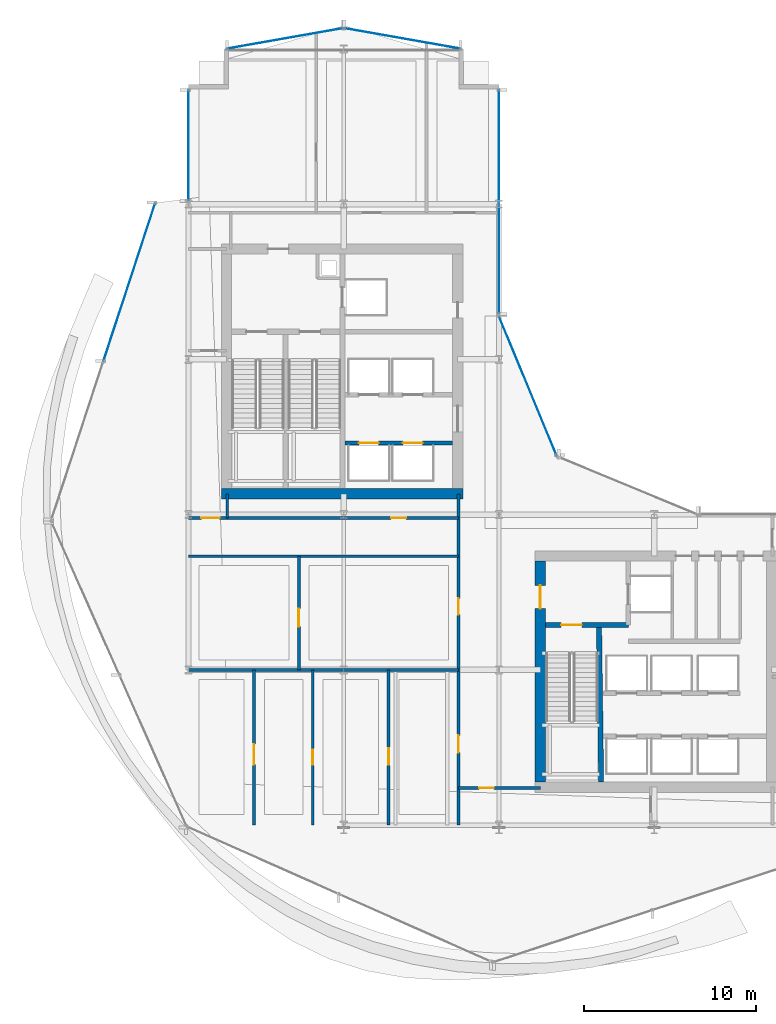
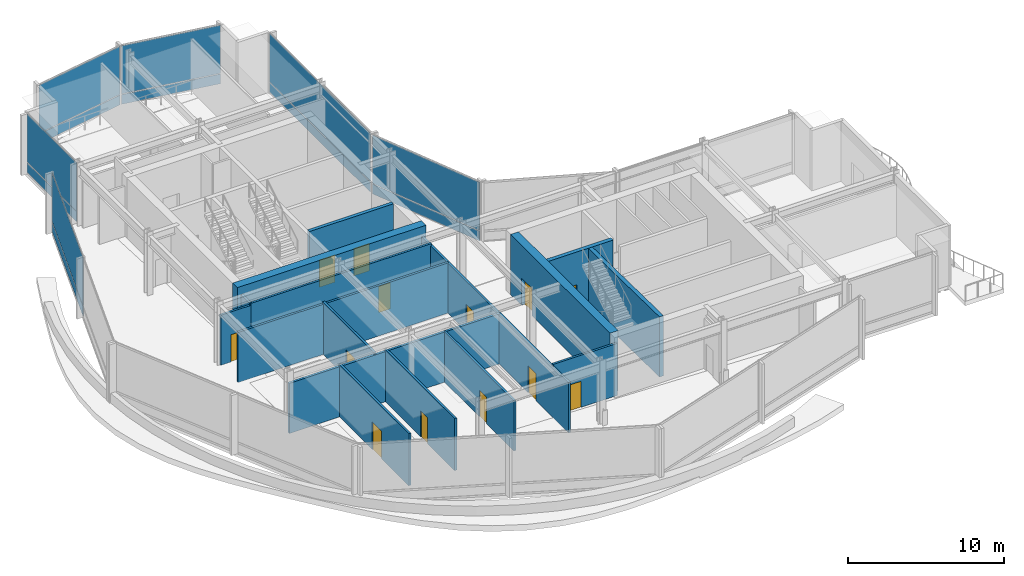
# One storey, part 24 of 33: 16 walls, 13 doors, 12 plates, 13 openings, 6 elements without a shape of their own.
"""IFC4 building model written with IfcOpenShell, lengths in metres."""

from ifc_helpers import new_model, si_unit, direction, frame, frame_2d, origin, origin_2d, place, context, subcontext, project, spatial, rectangle, extrude, material, layer, layer_set, type_object, element, fill, aggregate, save


model = new_model("IFC4")

# Units and contexts
model_context = context("Model", 3, precision=1e-05, world=origin(), true_north=direction((0.0, 1.0)))
body_context = subcontext(model_context, "Body", "Model", "MODEL_VIEW")
ifc_project = project(units=[si_unit("LENGTHUNIT", "METRE"), si_unit("AREAUNIT", "SQUARE_METRE"), si_unit("VOLUMEUNIT", "CUBIC_METRE"), si_unit("PLANEANGLEUNIT", "RADIAN"), si_unit("MASSUNIT", "GRAM", prefix="KILO")], contexts=[model_context])

# Site, building, storey
site_placement = place(None, origin())
site = spatial("IfcSite", under=ifc_project, at=site_placement, CompositionType="ELEMENT")
building_placement = place(site_placement, origin())
building = spatial("IfcBuilding", under=site, at=building_placement, Name="Solvaryn Broadcast Tower", CompositionType="ELEMENT")
storey_placement = place(building_placement, frame((0.0, 0.0, 105.0)))
storey = spatial("IfcBuildingStorey", under=building, at=storey_placement, Name="L25", CompositionType="ELEMENT", Elevation=105.0)

# Curtain wall, plates
ifc_material_1 = material(Name="Aluminium and Terracotta Unitised Curtain Wall", Category="masonry")
ifc_layer_1 = layer(ifc_material_1, 0.25)
ifc_layer_set_1 = layer_set([ifc_layer_1], Name="CW-SYS4-SKYGARDEN")
curtain_wall_type = type_object("IfcCurtainWallType", Name="CW-SYS4-SKYGARDEN", PredefinedType="NOTDEFINED", material=ifc_layer_set_1)
curtain_wall_1_placement = place(storey_placement, origin())
curtain_wall_1 = element("IfcCurtainWall", 1, at=curtain_wall_1_placement, inside=storey, type_object=curtain_wall_type, Name="L25 Curtain Wall DR1", PredefinedType="NOTDEFINED")
ifc_material_2 = material(Name="Low-Iron Insulated Vision Glass", Category="glass")
ifc_layer_2 = layer(ifc_material_2, 0.035888671875)
ifc_layer_set_2 = layer_set([ifc_layer_2], Name="CW-PNL-VISION")
plate_type = type_object("IfcPlateType", Name="CW-PNL-VISION", PredefinedType="CURTAIN_PANEL", material=ifc_layer_set_2)
plate_1_placement = place(storey_placement, frame((5.56298828125, 40.445068359375, 0.06005859375), z_axis=(0.0, 0.0, 1.0), x_axis=(-0.311646057547, -0.950198260794, 0.0)))
plate_1 = element("IfcPlate", 2, at=plate_1_placement, type_object=plate_type, Name="CWS4 panel 1.1", PredefinedType="CURTAIN_PANEL", context=body_context, shape_type="SweptSolid", body=[
    extrude(rectangle(XDim=9.6083984375, YDim=0.028076171875, at=origin_2d()), origin(), (0.0, 0.0, 1.0), 0.760009765625),
])
plate_2_placement = place(storey_placement, frame((5.56298828125, 40.445068359375, 0.8798828125), z_axis=(0.0, 0.0, 1.0), x_axis=(-0.311646057547, -0.950198260794, 0.0)))
plate_2 = element("IfcPlate", 3, at=plate_2_placement, type_object=plate_type, Name="CWS4 panel 1.2", PredefinedType="CURTAIN_PANEL", context=body_context, shape_type="SweptSolid", body=[
    extrude(rectangle(XDim=9.6083984375, YDim=0.028076171875, at=origin_2d()), origin(), (0.0, 0.0, 1.0), 3.780029296875),
])
aggregate(curtain_wall_1, [plate_1, plate_2])

curtain_wall_2_placement = place(storey_placement, origin())
curtain_wall_2 = element("IfcCurtainWall", 4, at=curtain_wall_2_placement, inside=storey, type_object=curtain_wall_type, Name="L25 Curtain Wall W2", PredefinedType="NOTDEFINED")
plate_3_placement = place(storey_placement, frame((9.0, 48.408447265625, 0.06005859375), z_axis=(0.0, 0.0, 1.0), x_axis=(0.0, 1.0, 0.0)))
plate_3 = element("IfcPlate", 5, at=plate_3_placement, type_object=plate_type, Name="CWS4 panel 1.1", PredefinedType="CURTAIN_PANEL", context=body_context, shape_type="SweptSolid", body=[
    extrude(rectangle(XDim=6.363037109375, YDim=0.028076171875, at=origin_2d()), origin(), (0.0, 0.0, 1.0), 0.760009765625),
])
plate_4_placement = place(storey_placement, frame((9.0, 48.408447265625, 0.8798828125), z_axis=(0.0, 0.0, 1.0), x_axis=(0.0, 1.0, 0.0)))
plate_4 = element("IfcPlate", 6, at=plate_4_placement, type_object=plate_type, Name="CWS4 panel 1.2", PredefinedType="CURTAIN_PANEL", context=body_context, shape_type="SweptSolid", body=[
    extrude(rectangle(XDim=6.363037109375, YDim=0.028076171875, at=origin_2d()), origin(), (0.0, 0.0, 1.0), 3.780029296875),
])
aggregate(curtain_wall_2, [plate_3, plate_4])

curtain_wall_3_placement = place(storey_placement, origin())
curtain_wall_3 = element("IfcCurtainWall", 7, at=curtain_wall_3_placement, inside=storey, type_object=curtain_wall_type, Name="L25 Curtain Wall IV", PredefinedType="NOTDEFINED")
plate_5_placement = place(storey_placement, frame((27.0, 45.125, 0.06005859375), z_axis=(0.0, 0.0, 1.0), x_axis=(0.0, -1.0, 0.0)))
plate_5 = element("IfcPlate", 8, at=plate_5_placement, type_object=plate_type, Name="CWS4 panel 1.1", PredefinedType="CURTAIN_PANEL", context=body_context, shape_type="SweptSolid", body=[
    extrude(rectangle(XDim=12.929931640625, YDim=0.028076171875, at=origin_2d()), origin(), (0.0, 0.0, 1.0), 0.760009765625),
])
plate_6_placement = place(storey_placement, frame((27.0, 45.125, 0.8798828125), z_axis=(0.0, 0.0, 1.0), x_axis=(0.0, -1.0, 0.0)))
plate_6 = element("IfcPlate", 9, at=plate_6_placement, type_object=plate_type, Name="CWS4 panel 1.2", PredefinedType="CURTAIN_PANEL", context=body_context, shape_type="SweptSolid", body=[
    extrude(rectangle(XDim=12.929931640625, YDim=0.028076171875, at=origin_2d()), origin(), (0.0, 0.0, 1.0), 3.780029296875),
])
aggregate(curtain_wall_3, [plate_5, plate_6])

curtain_wall_4_placement = place(storey_placement, origin())
curtain_wall_4 = element("IfcCurtainWall", 10, at=curtain_wall_4_placement, inside=storey, type_object=curtain_wall_type, Name="L25 Curtain Wall CN2", PredefinedType="NOTDEFINED")
plate_7_placement = place(storey_placement, frame((28.68408203125, 34.43408203125, 0.06005859375), z_axis=(0.0, 0.0, 1.0), x_axis=(-0.382646127145, 0.923894983957, 0.0)))
plate_7 = element("IfcPlate", 11, at=plate_7_placement, type_object=plate_type, Name="CWS4 panel 1.1", PredefinedType="CURTAIN_PANEL", context=body_context, shape_type="SweptSolid", body=[
    extrude(rectangle(XDim=8.681884765625, YDim=0.028076171875, at=origin_2d()), origin(), (0.0, 0.0, 1.0), 0.760009765625),
])
plate_8_placement = place(storey_placement, frame((28.68408203125, 34.43408203125, 0.8798828125), z_axis=(0.0, 0.0, 1.0), x_axis=(-0.382646127145, 0.923894983957, 0.0)))
plate_8 = element("IfcPlate", 12, at=plate_8_placement, type_object=plate_type, Name="CWS4 panel 1.2", PredefinedType="CURTAIN_PANEL", context=body_context, shape_type="SweptSolid", body=[
    extrude(rectangle(XDim=8.681884765625, YDim=0.028076171875, at=origin_2d()), origin(), (0.0, 0.0, 1.0), 3.780029296875),
])
aggregate(curtain_wall_4, [plate_7, plate_8])

curtain_wall_5_placement = place(storey_placement, origin())
curtain_wall_5 = element("IfcCurtainWall", 13, at=curtain_wall_5_placement, inside=storey, type_object=curtain_wall_type, Name="L25 Curtain Wall NT1", PredefinedType="NOTDEFINED")
plate_9_placement = place(storey_placement, frame((21.39990234375, 54.60009765625, 0.06005859375), z_axis=(0.0, 0.0, 1.0), x_axis=(-0.984783558819, 0.173785333901, 0.0)))
plate_9 = element("IfcPlate", 14, at=plate_9_placement, type_object=plate_type, Name="CWS4 panel 1.1", PredefinedType="CURTAIN_PANEL", context=body_context, shape_type="SweptSolid", body=[
    extrude(rectangle(XDim=6.78515625, YDim=0.028076171875, at=origin_2d()), origin(), (0.0, 0.0, 1.0), 0.760009765625),
])
plate_10_placement = place(storey_placement, frame((21.39990234375, 54.60009765625, 0.8798828125), z_axis=(0.0, 0.0, 1.0), x_axis=(-0.984783558819, 0.173785333901, 0.0)))
plate_10 = element("IfcPlate", 15, at=plate_10_placement, type_object=plate_type, Name="CWS4 panel 1.2", PredefinedType="CURTAIN_PANEL", context=body_context, shape_type="SweptSolid", body=[
    extrude(rectangle(XDim=6.78515625, YDim=0.028076171875, at=origin_2d()), origin(), (0.0, 0.0, 1.0), 3.780029296875),
])
aggregate(curtain_wall_5, [plate_9, plate_10])

curtain_wall_6_placement = place(storey_placement, origin())
curtain_wall_6 = element("IfcCurtainWall", 16, at=curtain_wall_6_placement, inside=storey, type_object=curtain_wall_type, Name="L25 Curtain Wall NT2", PredefinedType="NOTDEFINED")
plate_11_placement = place(storey_placement, frame((14.60009765625, 54.60009765625, 0.06005859375), z_axis=(0.0, 0.0, 1.0), x_axis=(-0.984783558819, -0.173785333901, 0.0)))
plate_11 = element("IfcPlate", 17, at=plate_11_placement, type_object=plate_type, Name="CWS4 panel 1.1", PredefinedType="CURTAIN_PANEL", context=body_context, shape_type="SweptSolid", body=[
    extrude(rectangle(XDim=6.78515625, YDim=0.028076171875, at=origin_2d()), origin(), (0.0, 0.0, 1.0), 0.760009765625),
])
plate_12_placement = place(storey_placement, frame((14.60009765625, 54.60009765625, 0.8798828125), z_axis=(0.0, 0.0, 1.0), x_axis=(-0.984783558819, -0.173785333901, 0.0)))
plate_12 = element("IfcPlate", 18, at=plate_12_placement, type_object=plate_type, Name="CWS4 panel 1.2", PredefinedType="CURTAIN_PANEL", context=body_context, shape_type="SweptSolid", body=[
    extrude(rectangle(XDim=6.78515625, YDim=0.028076171875, at=origin_2d()), origin(), (0.0, 0.0, 1.0), 3.780029296875),
])
aggregate(curtain_wall_6, [plate_11, plate_12])

# Wall
ifc_material_3 = material(Name="Concrete f'c 70 MPa", Category="concrete")
ifc_layer_3 = layer(ifc_material_3, 0.60009765625)
ifc_layer_set_3 = layer_set([ifc_layer_3], Name="CW-SHEAR-600")
wall_type_1 = type_object("IfcWallType", Name="CW-SHEAR-600", PredefinedType="SHEAR", material=ifc_layer_set_3)
wall_1_placement = place(storey_placement, frame((10.89990234375, 28.199951171875, 0.0), z_axis=(0.0, 0.0, 1.0), x_axis=(1.0, 0.0, 0.0)))
element("IfcWall", 19, at=wall_1_placement, inside=storey, type_object=wall_type_1, Name="L25 West Core South Shear Wall", PredefinedType="SHEAR", context=body_context, shape_type="SweptSolid", body=[
    extrude(rectangle(XDim=14.0, YDim=0.60009765625, at=frame_2d((7.0, 0.0))), origin(), (0.0, 0.0, 1.0), 4.719970703125),
])

# Wall, opening, door
wall_2_placement = place(storey_placement, frame((29.39990234375, 24.300048828125, 0.0), z_axis=(0.0, 0.0, 1.0), x_axis=(0.0, -1.0, 0.0)))
wall_2 = element("IfcWall", 20, at=wall_2_placement, inside=storey, type_object=wall_type_1, Name="L25 East Core West Shear Wall", PredefinedType="SHEAR", context=body_context, shape_type="SweptSolid", body=[
    extrude(rectangle(XDim=12.800048828125, YDim=0.60009765625, at=frame_2d((6.39990234375, 0.0))), origin(), (0.0, 0.0, 1.0), 4.719970703125),
])
opening_1_placement = place(wall_2_placement, frame((1.39990234375, 0.0, 0.0)))
opening_1 = element("IfcOpeningElement", 21, at=opening_1_placement, cuts=wall_2, Name="Opening FD90B", PredefinedType="OPENING", context=body_context, shape_type="SweptSolid", body=[
    extrude(rectangle(XDim=1.35009765625, YDim=2.14990234375, at=frame_2d((0.675048828125, 1.074951171875))), frame((0.0, 0.31005859375, 0.0), z_axis=(0.0, -1.0, 0.0), x_axis=(1.0, 0.0, 0.0)), (0.0, 0.0, 1.0), 0.6201171875),
])
ifc_material_4 = material(Name="Flush Acoustic Steel and Timber Door Assembly", Category="steel")
door_type_1 = type_object("IfcDoorType", Name="FD90-LOBBY-1350X2150", OperationType="NOTDEFINED", PredefinedType="DOOR", material=ifc_material_4)
door_1_placement = place(opening_1_placement, origin())
door_1 = element("IfcDoor", 22, at=door_1_placement, inside=storey, type_object=door_type_1, Name="L25 East FSAE Lobby Door", OperationType="SINGLE_SWING_RIGHT", OverallHeight=2.14990234375, OverallWidth=1.35009765625, PredefinedType="DOOR", context=body_context, shape_type="SweptSolid", body=[
    extrude(rectangle(XDim=1.35009765625, YDim=2.14990234375, at=frame_2d((0.675048828125, 1.074951171875))), frame((0.0, 0.02490234375, 0.0), z_axis=(0.0, -1.0, 0.0), x_axis=(1.0, 0.0, 0.0)), (0.0, 0.0, 1.0), 0.050048828125),
])
fill(opening_1, door_1)

ifc_material_5 = material(Name="Metal-Stud Gypsum Office Partition")
ifc_layer_4 = layer(ifc_material_5, 0.159912109375)
ifc_layer_set_4 = layer_set([ifc_layer_4], Name="IW-PART-160")
wall_type_2 = type_object("IfcWallType", Name="IW-PART-160", PredefinedType="PARTITIONING", material=ifc_layer_set_4)
wall_3_placement = place(storey_placement, frame((9.0, 26.800048828125, 0.0), z_axis=(0.0, 0.0, 1.0), x_axis=(1.0, 0.0, 0.0)))
wall_3 = element("IfcWall", 23, at=wall_3_placement, inside=storey, type_object=wall_type_2, Name="L25 Interior Partition IW-L25-WM-S", PredefinedType="PARTITIONING", context=body_context, shape_type="SweptSolid", body=[
    extrude(rectangle(XDim=2.25, YDim=0.159912109375, at=frame_2d((1.125, 0.0))), origin(), (0.0, 0.0, 1.0), 3.93408203125),
])
opening_2_placement = place(wall_3_placement, frame((0.75, 0.0, 0.0)))
opening_2 = element("IfcOpeningElement", 24, at=opening_2_placement, cuts=wall_3, Name="Opening ID03", PredefinedType="OPENING", context=body_context, shape_type="SweptSolid", body=[
    extrude(rectangle(XDim=1.050048828125, YDim=2.14990234375, at=frame_2d((0.52490234375, 1.074951171875))), frame((0.0, 0.090087890625, 0.0), z_axis=(0.0, -1.0, 0.0), x_axis=(1.0, 0.0, 0.0)), (0.0, 0.0, 1.0), 0.179931640625),
])
ifc_material_6 = material(Name="Flush Acoustic Steel and Timber Door Assembly", Category="steel")
door_type_2 = type_object("IfcDoorType", Name="ID-03-1050X2150", OperationType="NOTDEFINED", PredefinedType="DOOR", material=ifc_material_6)
door_2_placement = place(opening_2_placement, origin())
door_2 = element("IfcDoor", 25, at=door_2_placement, inside=storey, type_object=door_type_2, Name="L25 Door DR-L25-WM0", OperationType="SINGLE_SWING_LEFT", OverallHeight=2.14990234375, OverallWidth=1.050048828125, PredefinedType="DOOR", context=body_context, shape_type="SweptSolid", body=[
    extrude(rectangle(XDim=1.050048828125, YDim=2.14990234375, at=frame_2d((0.52490234375, 1.074951171875))), frame((0.0, 0.02490234375, 0.0), z_axis=(0.0, -1.0, 0.0), x_axis=(1.0, 0.0, 0.0)), (0.0, 0.0, 1.0), 0.050048828125),
])
fill(opening_2, door_2)

# Wall, openings, doors
wall_4_placement = place(storey_placement, frame((24.64990234375, 9.0, 0.0), z_axis=(0.0, 0.0, 1.0), x_axis=(0.0, 1.0, 0.0)))
wall_4 = element("IfcWall", 26, at=wall_4_placement, inside=storey, type_object=wall_type_2, Name="L25 Interior Partition IW-L25-SW-EB", PredefinedType="PARTITIONING", context=body_context, shape_type="SweptSolid", body=[
    extrude(rectangle(XDim=19.199951171875, YDim=0.159912109375, at=frame_2d((9.60009765625, 0.0))), origin(), (0.0, 0.0, 1.0), 3.93408203125),
])
opening_3_placement = place(wall_4_placement, frame((12.199951171875, 0.0, 0.0)))
opening_3 = element("IfcOpeningElement", 27, at=opening_3_placement, cuts=wall_4, Name="Opening ID01", PredefinedType="OPENING", context=body_context, shape_type="SweptSolid", body=[
    extrude(rectangle(XDim=0.949951171875, YDim=2.10009765625, at=frame_2d((0.47509765625, 1.050048828125))), frame((0.0, 0.090087890625, 0.0), z_axis=(0.0, -1.0, 0.0), x_axis=(1.0, 0.0, 0.0)), (0.0, 0.0, 1.0), 0.179931640625),
])
opening_4_placement = place(wall_4_placement, frame((4.199951171875, 0.0, 0.0)))
opening_4 = element("IfcOpeningElement", 28, at=opening_4_placement, cuts=wall_4, Name="Opening ID02", PredefinedType="OPENING", context=body_context, shape_type="SweptSolid", body=[
    extrude(rectangle(XDim=1.0, YDim=2.10009765625, at=frame_2d((0.5, 1.050048828125))), frame((0.0, 0.090087890625, 0.0), z_axis=(0.0, -1.0, 0.0), x_axis=(1.0, 0.0, 0.0)), (0.0, 0.0, 1.0), 0.179931640625),
])
ifc_material_7 = material(Name="Flush Acoustic Steel and Timber Door Assembly", Category="steel")
door_type_3 = type_object("IfcDoorType", Name="ID-01-950X2100", OperationType="NOTDEFINED", PredefinedType="DOOR", material=ifc_material_7)
door_3_placement = place(opening_3_placement, origin())
door_3 = element("IfcDoor", 29, at=door_3_placement, inside=storey, type_object=door_type_3, Name="L25 Door DR-L25-SW-EN", OperationType="SINGLE_SWING_RIGHT", OverallHeight=2.10009765625, OverallWidth=0.949951171875, PredefinedType="DOOR", context=body_context, shape_type="SweptSolid", body=[
    extrude(rectangle(XDim=0.949951171875, YDim=2.10009765625, at=frame_2d((0.47509765625, 1.050048828125))), frame((0.0, 0.02490234375, 0.0), z_axis=(0.0, -1.0, 0.0), x_axis=(1.0, 0.0, 0.0)), (0.0, 0.0, 1.0), 0.050048828125),
])
fill(opening_3, door_3)
ifc_material_8 = material(Name="Flush Acoustic Steel and Timber Door Assembly", Category="steel")
door_type_4 = type_object("IfcDoorType", Name="ID-02-1000X2100", OperationType="NOTDEFINED", PredefinedType="DOOR", material=ifc_material_8)
door_4_placement = place(opening_4_placement, origin())
door_4 = element("IfcDoor", 30, at=door_4_placement, inside=storey, type_object=door_type_4, Name="L25 Door DR-L25-SW-ES", OperationType="SINGLE_SWING_LEFT", OverallHeight=2.10009765625, OverallWidth=1.0, PredefinedType="DOOR", context=body_context, shape_type="SweptSolid", body=[
    extrude(rectangle(XDim=1.0, YDim=2.10009765625, at=frame_2d((0.5, 1.050048828125))), frame((0.0, 0.02490234375, 0.0), z_axis=(0.0, -1.0, 0.0), x_axis=(1.0, 0.0, 0.0)), (0.0, 0.0, 1.0), 0.050048828125),
])
fill(opening_4, door_4)

# Wall
wall_5_placement = place(storey_placement, frame((9.0, 24.580078125, 0.0), z_axis=(0.0, 0.0, 1.0), x_axis=(1.0, 0.0, 0.0)))
element("IfcWall", 31, at=wall_5_placement, inside=storey, type_object=wall_type_2, Name="L25 Interior Partition IW-L25-SW-NB", PredefinedType="PARTITIONING", context=body_context, shape_type="SweptSolid", body=[
    extrude(rectangle(XDim=15.64990234375, YDim=0.159912109375, at=frame_2d((7.824951171875, 0.0))), origin(), (0.0, 0.0, 1.0), 3.93408203125),
])

# Wall, opening, door
wall_6_placement = place(storey_placement, frame((11.25, 26.800048828125, 0.0), z_axis=(0.0, 0.0, 1.0), x_axis=(1.0, 0.0, 0.0)))
wall_6 = element("IfcWall", 32, at=wall_6_placement, inside=storey, type_object=wall_type_2, Name="L25 Interior Partition IW-L25-SW-N2", PredefinedType="PARTITIONING", context=body_context, shape_type="SweptSolid", body=[
    extrude(rectangle(XDim=13.39990234375, YDim=0.159912109375, at=frame_2d((6.699951171875, 0.0))), origin(), (0.0, 0.0, 1.0), 4.089111328125),
])
opening_5_placement = place(wall_6_placement, frame((9.5, 0.0, 0.0)))
opening_5 = element("IfcOpeningElement", 33, at=opening_5_placement, cuts=wall_6, Name="Opening ID07", PredefinedType="OPENING", context=body_context, shape_type="SweptSolid", body=[
    extrude(rectangle(XDim=0.860107421875, YDim=2.050048828125, at=frame_2d((0.43017578125, 1.02490234375))), frame((0.0, 0.090087890625, 0.0), z_axis=(0.0, -1.0, 0.0), x_axis=(1.0, 0.0, 0.0)), (0.0, 0.0, 1.0), 0.179931640625),
])
ifc_material_9 = material(Name="Flush Acoustic Steel and Timber Door Assembly", Category="steel")
door_type_5 = type_object("IfcDoorType", Name="ID-07-860X2050", OperationType="NOTDEFINED", PredefinedType="DOOR", material=ifc_material_9)
door_5_placement = place(opening_5_placement, origin())
door_5 = element("IfcDoor", 34, at=door_5_placement, inside=storey, type_object=door_type_5, Name="L25 Door DR-L25-SW-ALC", OperationType="SINGLE_SWING_LEFT", OverallHeight=2.050048828125, OverallWidth=0.860107421875, PredefinedType="DOOR", context=body_context, shape_type="SweptSolid", body=[
    extrude(rectangle(XDim=0.860107421875, YDim=2.050048828125, at=frame_2d((0.43017578125, 1.02490234375))), frame((0.0, 0.02490234375, 0.0), z_axis=(0.0, -1.0, 0.0), x_axis=(1.0, 0.0, 0.0)), (0.0, 0.0, 1.0), 0.050048828125),
])
fill(opening_5, door_5)

# Wall
wall_7_placement = place(storey_placement, frame((11.25, 26.800048828125, 0.0), z_axis=(0.0, 0.0, 1.0), x_axis=(0.0, 1.0, 0.0)))
element("IfcWall", 35, at=wall_7_placement, inside=storey, type_object=wall_type_2, Name="L25 Interior Partition IW-L25-SW-ALW", PredefinedType="PARTITIONING", context=body_context, shape_type="SweptSolid", body=[
    extrude(rectangle(XDim=1.39990234375, YDim=0.159912109375, at=frame_2d((0.699951171875, 0.0))), origin(), (0.0, 0.0, 1.0), 4.089111328125),
])

# Wall, opening, door
wall_8_placement = place(storey_placement, frame((15.39990234375, 18.0, 0.0), z_axis=(0.0, 0.0, 1.0), x_axis=(0.0, 1.0, 0.0)))
wall_8 = element("IfcWall", 36, at=wall_8_placement, inside=storey, type_object=wall_type_2, Name="L25 Interior Partition IW-L25-SWN-V1", PredefinedType="PARTITIONING", context=body_context, shape_type="SweptSolid", body=[
    extrude(rectangle(XDim=6.580078125, YDim=0.159912109375, at=frame_2d((3.2900390625, 0.0))), origin(), (0.0, 0.0, 1.0), 4.089111328125),
])
opening_6_placement = place(wall_8_placement, frame((2.5, 0.0, 0.0)))
opening_6 = element("IfcOpeningElement", 37, at=opening_6_placement, cuts=wall_8, Name="Opening ID03", PredefinedType="OPENING", context=body_context, shape_type="SweptSolid", body=[
    extrude(rectangle(XDim=1.050048828125, YDim=2.14990234375, at=frame_2d((0.52490234375, 1.074951171875))), frame((0.0, 0.090087890625, 0.0), z_axis=(0.0, -1.0, 0.0), x_axis=(1.0, 0.0, 0.0)), (0.0, 0.0, 1.0), 0.179931640625),
])
door_6_placement = place(opening_6_placement, origin())
door_6 = element("IfcDoor", 38, at=door_6_placement, inside=storey, type_object=door_type_2, Name="L25 Door DR-L25-SWN-1", OperationType="SINGLE_SWING_RIGHT", OverallHeight=2.14990234375, OverallWidth=1.050048828125, PredefinedType="DOOR", context=body_context, shape_type="SweptSolid", body=[
    extrude(rectangle(XDim=1.050048828125, YDim=2.14990234375, at=frame_2d((0.52490234375, 1.074951171875))), frame((0.0, 0.02490234375, 0.0), z_axis=(0.0, -1.0, 0.0), x_axis=(1.0, 0.0, 0.0)), (0.0, 0.0, 1.0), 0.050048828125),
])
fill(opening_6, door_6)

wall_9_placement = place(storey_placement, frame((12.800048828125, 9.0, 0.0), z_axis=(0.0, 0.0, 1.0), x_axis=(0.0, 1.0, 0.0)))
wall_9 = element("IfcWall", 39, at=wall_9_placement, inside=storey, type_object=wall_type_2, Name="L25 Interior Partition IW-L25-SWS-V1", PredefinedType="PARTITIONING", context=body_context, shape_type="SweptSolid", body=[
    extrude(rectangle(XDim=9.0, YDim=0.159912109375, at=frame_2d((4.5, 0.0))), origin(), (0.0, 0.0, 1.0), 4.089111328125),
])
opening_7_placement = place(wall_9_placement, frame((3.5, 0.0, 0.0)))
opening_7 = element("IfcOpeningElement", 40, at=opening_7_placement, cuts=wall_9, Name="Opening ID04", PredefinedType="OPENING", context=body_context, shape_type="SweptSolid", body=[
    extrude(rectangle(XDim=1.199951171875, YDim=2.14990234375, at=frame_2d((0.60009765625, 1.074951171875))), frame((0.0, 0.090087890625, 0.0), z_axis=(0.0, -1.0, 0.0), x_axis=(1.0, 0.0, 0.0)), (0.0, 0.0, 1.0), 0.179931640625),
])
ifc_material_10 = material(Name="Flush Acoustic Steel and Timber Door Assembly", Category="steel")
door_type_6 = type_object("IfcDoorType", Name="ID-04-1200X2150", OperationType="NOTDEFINED", PredefinedType="DOOR", material=ifc_material_10)
door_7_placement = place(opening_7_placement, origin())
door_7 = element("IfcDoor", 41, at=door_7_placement, inside=storey, type_object=door_type_6, Name="L25 Door DR-L25-SWS-1", OperationType="SINGLE_SWING_LEFT", OverallHeight=2.14990234375, OverallWidth=1.199951171875, PredefinedType="DOOR", context=body_context, shape_type="SweptSolid", body=[
    extrude(rectangle(XDim=1.199951171875, YDim=2.14990234375, at=frame_2d((0.60009765625, 1.074951171875))), frame((0.0, 0.02490234375, 0.0), z_axis=(0.0, -1.0, 0.0), x_axis=(1.0, 0.0, 0.0)), (0.0, 0.0, 1.0), 0.050048828125),
])
fill(opening_7, door_7)

wall_10_placement = place(storey_placement, frame((16.199951171875, 9.0, 0.0), z_axis=(0.0, 0.0, 1.0), x_axis=(0.0, 1.0, 0.0)))
wall_10 = element("IfcWall", 42, at=wall_10_placement, inside=storey, type_object=wall_type_2, Name="L25 Interior Partition IW-L25-SWS-V2", PredefinedType="PARTITIONING", context=body_context, shape_type="SweptSolid", body=[
    extrude(rectangle(XDim=9.0, YDim=0.159912109375, at=frame_2d((4.5, 0.0))), origin(), (0.0, 0.0, 1.0), 4.089111328125),
])
opening_8_placement = place(wall_10_placement, frame((3.5, 0.0, 0.0)))
opening_8 = element("IfcOpeningElement", 43, at=opening_8_placement, cuts=wall_10, Name="Opening ID07", PredefinedType="OPENING", context=body_context, shape_type="SweptSolid", body=[
    extrude(rectangle(XDim=0.860107421875, YDim=2.050048828125, at=frame_2d((0.43017578125, 1.02490234375))), frame((0.0, 0.090087890625, 0.0), z_axis=(0.0, -1.0, 0.0), x_axis=(1.0, 0.0, 0.0)), (0.0, 0.0, 1.0), 0.179931640625),
])
door_8_placement = place(opening_8_placement, origin())
door_8 = element("IfcDoor", 44, at=door_8_placement, inside=storey, type_object=door_type_5, Name="L25 Door DR-L25-SWS-2", OperationType="SINGLE_SWING_RIGHT", OverallHeight=2.050048828125, OverallWidth=0.860107421875, PredefinedType="DOOR", context=body_context, shape_type="SweptSolid", body=[
    extrude(rectangle(XDim=0.860107421875, YDim=2.050048828125, at=frame_2d((0.43017578125, 1.02490234375))), frame((0.0, 0.02490234375, 0.0), z_axis=(0.0, -1.0, 0.0), x_axis=(1.0, 0.0, 0.0)), (0.0, 0.0, 1.0), 0.050048828125),
])
fill(opening_8, door_8)

wall_11_placement = place(storey_placement, frame((20.60009765625, 9.0, 0.0), z_axis=(0.0, 0.0, 1.0), x_axis=(0.0, 1.0, 0.0)))
wall_11 = element("IfcWall", 45, at=wall_11_placement, inside=storey, type_object=wall_type_2, Name="L25 Interior Partition IW-L25-SWS-V3", PredefinedType="PARTITIONING", context=body_context, shape_type="SweptSolid", body=[
    extrude(rectangle(XDim=9.0, YDim=0.159912109375, at=frame_2d((4.5, 0.0))), origin(), (0.0, 0.0, 1.0), 3.93408203125),
])
opening_9_placement = place(wall_11_placement, frame((3.5, 0.0, 0.0)))
opening_9 = element("IfcOpeningElement", 46, at=opening_9_placement, cuts=wall_11, Name="Opening ID01", PredefinedType="OPENING", context=body_context, shape_type="SweptSolid", body=[
    extrude(rectangle(XDim=0.949951171875, YDim=2.10009765625, at=frame_2d((0.47509765625, 1.050048828125))), frame((0.0, 0.090087890625, 0.0), z_axis=(0.0, -1.0, 0.0), x_axis=(1.0, 0.0, 0.0)), (0.0, 0.0, 1.0), 0.179931640625),
])
door_9_placement = place(opening_9_placement, origin())
door_9 = element("IfcDoor", 47, at=door_9_placement, inside=storey, type_object=door_type_3, Name="L25 Door DR-L25-SWS-3", OperationType="SINGLE_SWING_LEFT", OverallHeight=2.10009765625, OverallWidth=0.949951171875, PredefinedType="DOOR", context=body_context, shape_type="SweptSolid", body=[
    extrude(rectangle(XDim=0.949951171875, YDim=2.10009765625, at=frame_2d((0.47509765625, 1.050048828125))), frame((0.0, 0.02490234375, 0.0), z_axis=(0.0, -1.0, 0.0), x_axis=(1.0, 0.0, 0.0)), (0.0, 0.0, 1.0), 0.050048828125),
])
fill(opening_9, door_9)

wall_12_placement = place(storey_placement, frame((24.64990234375, 11.14990234375, 0.0), z_axis=(0.0, 0.0, 1.0), x_axis=(1.0, 0.0, 0.0)))
wall_12 = element("IfcWall", 48, at=wall_12_placement, inside=storey, type_object=wall_type_2, Name="L25 Interior Partition IW-L25-SC-N", PredefinedType="PARTITIONING", context=body_context, shape_type="SweptSolid", body=[
    extrude(rectangle(XDim=4.75, YDim=0.159912109375, at=frame_2d((2.375, 0.0))), origin(), (0.0, 0.0, 1.0), 4.092041015625),
])
opening_10_placement = place(wall_12_placement, frame((1.199951171875, 0.0, 0.0)))
opening_10 = element("IfcOpeningElement", 49, at=opening_10_placement, cuts=wall_12, Name="Opening ID07", PredefinedType="OPENING", context=body_context, shape_type="SweptSolid", body=[
    extrude(rectangle(XDim=0.860107421875, YDim=2.050048828125, at=frame_2d((0.43017578125, 1.02490234375))), frame((0.0, 0.090087890625, 0.0), z_axis=(0.0, -1.0, 0.0), x_axis=(1.0, 0.0, 0.0)), (0.0, 0.0, 1.0), 0.179931640625),
])
door_10_placement = place(opening_10_placement, origin())
door_10 = element("IfcDoor", 50, at=door_10_placement, inside=storey, type_object=door_type_5, Name="L25 Door DR-L25-SC0", OperationType="SINGLE_SWING_LEFT", OverallHeight=2.050048828125, OverallWidth=0.860107421875, PredefinedType="DOOR", context=body_context, shape_type="SweptSolid", body=[
    extrude(rectangle(XDim=0.860107421875, YDim=2.050048828125, at=frame_2d((0.43017578125, 1.02490234375))), frame((0.0, 0.02490234375, 0.0), z_axis=(0.0, -1.0, 0.0), x_axis=(1.0, 0.0, 0.0)), (0.0, 0.0, 1.0), 0.050048828125),
])
fill(opening_10, door_10)

# Wall
ifc_material_11 = material(Name="Acoustic Metal-Stud Gypsum Partition")
ifc_layer_5 = layer(ifc_material_11, 0.179931640625)
ifc_layer_set_5 = layer_set([ifc_layer_5], Name="IW-PART-180")
wall_type_3 = type_object("IfcWallType", Name="IW-PART-180", PredefinedType="PARTITIONING", material=ifc_layer_set_5)
wall_13_placement = place(storey_placement, frame((9.0, 18.0, 0.0), z_axis=(0.0, 0.0, 1.0), x_axis=(1.0, 0.0, 0.0)))
element("IfcWall", 51, at=wall_13_placement, inside=storey, type_object=wall_type_3, Name="L25 Interior Partition IW-L25-SW-HY", PredefinedType="PARTITIONING", context=body_context, shape_type="SweptSolid", body=[
    extrude(rectangle(XDim=15.64990234375, YDim=0.179931640625, at=frame_2d((7.824951171875, 0.0))), origin(), (0.0, 0.0, 1.0), 3.93408203125),
])

# Wall, openings, doors
ifc_material_12 = material(Name="Concrete f'c 60 MPa", Category="concrete")
ifc_layer_6 = layer(ifc_material_12, 0.25)
ifc_layer_set_6 = layer_set([ifc_layer_6], Name="SW-SHAFT-250")
wall_type_4 = type_object("IfcWallType", Name="SW-SHAFT-250", PredefinedType="PARTITIONING", material=ifc_layer_set_6)
wall_14_placement = place(storey_placement, frame((18.070068359375, 31.14990234375, 0.0), z_axis=(0.0, 0.0, 1.0), x_axis=(1.0, 0.0, 0.0)))
wall_14 = element("IfcWall", 52, at=wall_14_placement, inside=storey, type_object=wall_type_4, Name="L25 High-Rise Lift Bank South Wall", PredefinedType="PARTITIONING", context=body_context, shape_type="SweptSolid", body=[
    extrude(rectangle(XDim=6.22998046875, YDim=0.25, at=frame_2d((3.114990234375, 0.0))), origin(), (0.0, 0.0, 1.0), 4.719970703125),
])
opening_11_placement = place(wall_14_placement, frame((0.804931640625, 0.0, 0.0)))
opening_11 = element("IfcOpeningElement", 53, at=opening_11_placement, cuts=wall_14, Name="Opening LD01", PredefinedType="OPENING", context=body_context, shape_type="SweptSolid", body=[
    extrude(rectangle(XDim=1.14990234375, YDim=2.14990234375, at=frame_2d((0.574951171875, 1.074951171875))), frame((0.0, 0.135009765625, 0.0), z_axis=(0.0, -1.0, 0.0), x_axis=(1.0, 0.0, 0.0)), (0.0, 0.0, 1.0), 0.27001953125),
])
opening_12_placement = place(wall_14_placement, frame((3.35498046875, 0.0, 0.0)))
opening_12 = element("IfcOpeningElement", 54, at=opening_12_placement, cuts=wall_14, Name="Opening LD01", PredefinedType="OPENING", context=body_context, shape_type="SweptSolid", body=[
    extrude(rectangle(XDim=1.14990234375, YDim=2.14990234375, at=frame_2d((0.574951171875, 1.074951171875))), frame((0.0, 0.135009765625, 0.0), z_axis=(0.0, -1.0, 0.0), x_axis=(1.0, 0.0, 0.0)), (0.0, 0.0, 1.0), 0.27001953125),
])
ifc_material_13 = material(Name="Flush Acoustic Steel and Timber Door Assembly", Category="steel")
door_type_7 = type_object("IfcDoorType", Name="LD-LIFT-1150X2150", OperationType="NOTDEFINED", PredefinedType="DOOR", material=ifc_material_13)
door_11_placement = place(opening_11_placement, origin())
door_11 = element("IfcDoor", 55, at=door_11_placement, inside=storey, type_object=door_type_7, Name="L25 PH1 Lift Landing Door", OperationType="DOUBLE_DOOR_SLIDING", OverallHeight=2.14990234375, OverallWidth=1.14990234375, PredefinedType="DOOR", context=body_context, shape_type="SweptSolid", body=[
    extrude(rectangle(XDim=1.14990234375, YDim=2.14990234375, at=frame_2d((0.574951171875, 1.074951171875))), frame((0.0, 0.02490234375, 0.0), z_axis=(0.0, -1.0, 0.0), x_axis=(1.0, 0.0, 0.0)), (0.0, 0.0, 1.0), 0.050048828125),
])
fill(opening_11, door_11)
door_12_placement = place(opening_12_placement, origin())
door_12 = element("IfcDoor", 56, at=door_12_placement, inside=storey, type_object=door_type_7, Name="L25 PH2 Lift Landing Door", OperationType="DOUBLE_DOOR_SLIDING", OverallHeight=2.14990234375, OverallWidth=1.14990234375, PredefinedType="DOOR", context=body_context, shape_type="SweptSolid", body=[
    extrude(rectangle(XDim=1.14990234375, YDim=2.14990234375, at=frame_2d((0.574951171875, 1.074951171875))), frame((0.0, 0.02490234375, 0.0), z_axis=(0.0, -1.0, 0.0), x_axis=(1.0, 0.0, 0.0)), (0.0, 0.0, 1.0), 0.050048828125),
])
fill(opening_12, door_12)

# Wall
ifc_material_14 = material(Name="Concrete f'c 70 MPa", Category="concrete")
ifc_layer_7 = layer(ifc_material_14, 0.300048828125)
ifc_layer_set_7 = layer_set([ifc_layer_7], Name="SW-SHAFT-300")
wall_type_5 = type_object("IfcWallType", Name="SW-SHAFT-300", PredefinedType="SHEAR", material=ifc_layer_set_7)
wall_15_placement = place(storey_placement, frame((32.919921875, 11.5, 0.0), z_axis=(0.0, 0.0, 1.0), x_axis=(-0.013244407292, 0.999912288991, 0.0)))
element("IfcWall", 57, at=wall_15_placement, inside=storey, type_object=wall_type_5, Name="L25 Stair 3 East Shear Wall", PredefinedType="SHEAR", context=body_context, shape_type="SweptSolid", body=[
    extrude(rectangle(XDim=9.05078125, YDim=0.300048828125, at=frame_2d((4.525390625, 0.0))), origin(), (0.0, 0.0, 1.0), 4.719970703125),
])

# Wall, opening, door
wall_16_placement = place(storey_placement, frame((34.5, 20.60009765625, 0.0), z_axis=(0.0, 0.0, 1.0), x_axis=(-1.0, 0.0, 0.0)))
wall_16 = element("IfcWall", 58, at=wall_16_placement, inside=storey, type_object=wall_type_5, Name="L25 East FSAE Lobby South Wall", PredefinedType="SHEAR", context=body_context, shape_type="SweptSolid", body=[
    extrude(rectangle(XDim=4.800048828125, YDim=0.300048828125, at=frame_2d((2.39990234375, 0.0))), origin(), (0.0, 0.0, 1.0), 4.719970703125),
])
opening_13_placement = place(wall_16_placement, frame((2.699951171875, 0.0, 0.0)))
opening_13 = element("IfcOpeningElement", 59, at=opening_13_placement, cuts=wall_16, Name="Opening FD90A", PredefinedType="OPENING", context=body_context, shape_type="SweptSolid", body=[
    extrude(rectangle(XDim=1.199951171875, YDim=2.14990234375, at=frame_2d((0.60009765625, 1.074951171875))), frame((0.0, 0.159912109375, 0.0), z_axis=(0.0, -1.0, 0.0), x_axis=(1.0, 0.0, 0.0)), (0.0, 0.0, 1.0), 0.320068359375),
])
ifc_material_15 = material(Name="Flush Acoustic Steel and Timber Door Assembly", Category="steel")
door_type_8 = type_object("IfcDoorType", Name="FD90-STAIR-1200X2150", OperationType="NOTDEFINED", PredefinedType="DOOR", material=ifc_material_15)
door_13_placement = place(opening_13_placement, origin())
door_13 = element("IfcDoor", 60, at=door_13_placement, inside=storey, type_object=door_type_8, Name="L25 Stair 3 Fire Door", OperationType="SINGLE_SWING_LEFT", OverallHeight=2.14990234375, OverallWidth=1.199951171875, PredefinedType="DOOR", context=body_context, shape_type="SweptSolid", body=[
    extrude(rectangle(XDim=1.199951171875, YDim=2.14990234375, at=frame_2d((0.60009765625, 1.074951171875))), frame((0.0, 0.02490234375, 0.0), z_axis=(0.0, -1.0, 0.0), x_axis=(1.0, 0.0, 0.0)), (0.0, 0.0, 1.0), 0.050048828125),
])
fill(opening_13, door_13)

save(model, "model.ifc")
